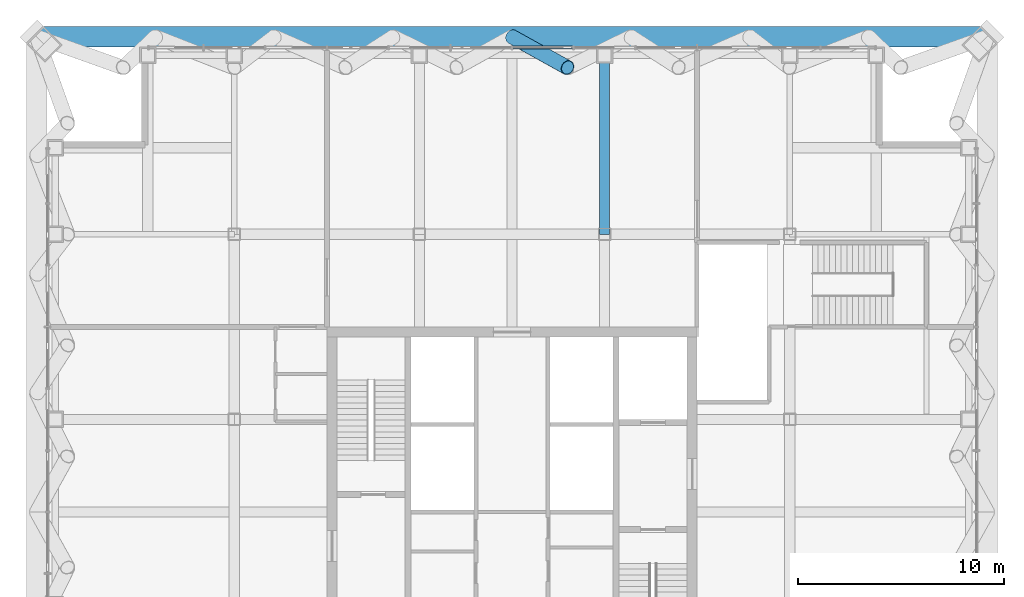
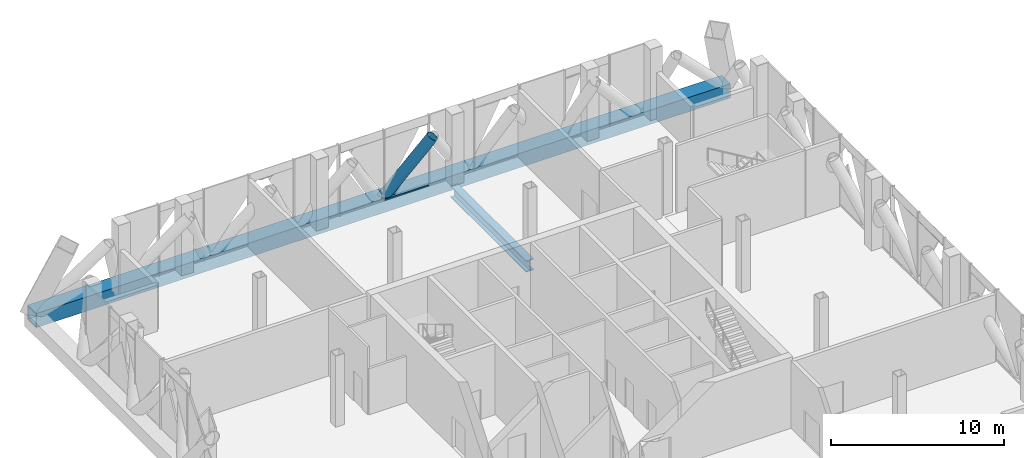
# One storey, part 11 of 27: 3 members, 1 beam, 1 element without a shape of its own.
"""IFC4 building model written with IfcOpenShell, lengths in metres."""

from ifc_helpers import new_model, si_unit, direction, frame, origin, origin_2d, place, context, subcontext, project, spatial, rectangle, hollow_rectangle, hollow_circle, i_section, extrude, material, layer, layer_set, material_profile, profile_set, type_object, element, aggregate, save


model = new_model("IFC4")

# Units and contexts
model_context = context("Model", 3, precision=1e-05, world=origin(), true_north=direction((0.0, 1.0)))
body_context = subcontext(model_context, "Body", "Model", "MODEL_VIEW")
ifc_project = project(units=[si_unit("LENGTHUNIT", "METRE"), si_unit("AREAUNIT", "SQUARE_METRE"), si_unit("VOLUMEUNIT", "CUBIC_METRE"), si_unit("PLANEANGLEUNIT", "RADIAN"), si_unit("MASSUNIT", "GRAM", prefix="KILO")], contexts=[model_context])

# Site, building, storey
site_placement = place(None, origin())
site = spatial("IfcSite", under=ifc_project, at=site_placement, CompositionType="ELEMENT")
building_placement = place(site_placement, origin())
building = spatial("IfcBuilding", under=site, at=building_placement, Name="Malebo Sky Hospital", CompositionType="ELEMENT")
storey_placement = place(building_placement, frame((0.0, 0.0, 245.0)))
storey = spatial("IfcBuildingStorey", under=building, at=storey_placement, Name="L59", CompositionType="ELEMENT", Elevation=245.0)

# Curtain wall, member
ifc_material_1 = material(Name="Anodised aluminium, natural silver", Category="aluminium")
ifc_layer = layer(ifc_material_1, 0.25)
ifc_layer_set = layer_set([ifc_layer], Name="PLANT LOUVRE SCREEN")
curtain_wall_type = type_object("IfcCurtainWallType", Name="PLANT LOUVRE SCREEN", PredefinedType="NOTDEFINED", material=ifc_layer_set)
curtain_wall_placement = place(storey_placement, origin())
curtain_wall = element("IfcCurtainWall", 1, at=curtain_wall_placement, inside=storey, type_object=curtain_wall_type, Name="PLANT curtain wall N", PredefinedType="NOTDEFINED")
ifc_material_profile_1 = material_profile(ifc_material_1, rectangle(XDim=0.14990234375, YDim=0.10009765625, at=origin_2d()), Name="ALUMINIUM TRANSOM 150x100")
ifc_profile_set_1 = profile_set([ifc_material_profile_1], Name="Anodised aluminium, natural silver")
member_type_1 = type_object("IfcMemberType", Name="ALUMINIUM TRANSOM 150x100", PredefinedType="USERDEFINED", material=ifc_profile_set_1)
member_1_placement = place(storey_placement, frame((60.03759765625, 84.574951171875, 0.050048828125), z_axis=(1.0, 0.0, 0.0), x_axis=(0.0, 1.0, 0.0)))
member_1 = element("IfcMember", 2, at=member_1_placement, type_object=member_type_1, Name="Transom 7", ObjectType="TRANSOM", PredefinedType="USERDEFINED", context=body_context, shape_type="SweptSolid", body=[
    extrude(rectangle(XDim=0.14990234375, YDim=0.10009765625, at=origin_2d()), origin(), (0.0, 0.0, 1.0), 2.9248046875),
])
aggregate(curtain_wall, [member_1])

# Member
ifc_material_2 = material(Name="Steel S460", Category="steel")
ifc_material_profile_2 = material_profile(ifc_material_2, hollow_circle(Radius=0.35546875, WallThickness=0.02490234375, at=origin_2d()), Name="CHS 711x25")
ifc_profile_set_2 = profile_set([ifc_material_profile_2], Name="Steel S460")
member_type_2 = type_object("IfcMemberType", Name="BELT TRUSS DIAGONAL CHS 711x25", PredefinedType="BRACE", material=ifc_profile_set_2)
member_2_placement = place(storey_placement, frame((62.699951171875, 83.60009765625, 4.14990234375), z_axis=(-0.490977647365, 0.272770292559, -0.827367703797), x_axis=(-0.485649642493, -0.87415354758, 0.0)))
element("IfcMember", 3, at=member_2_placement, inside=storey, type_object=member_type_2, Name="Belt truss diagonal N4.2 L59", PredefinedType="BRACE", context=body_context, shape_type="SweptSolid", body=[
    extrude(hollow_circle(Radius=0.35546875, WallThickness=0.02490234375, at=origin_2d()), origin(), (0.0, 0.0, 1.0), 5.4990234375),
])

# Beam
ifc_material_3 = material(Name="Steel S355", Category="steel")
ifc_material_profile_3 = material_profile(ifc_material_3, i_section(OverallWidth=0.5, OverallDepth=0.800048828125, WebThickness=0.030029296875, FlangeThickness=0.050048828125, at=origin_2d()), Name="PG 800x500x30x50")
ifc_profile_set_3 = profile_set([ifc_material_profile_3], Name="Steel S355")
beam_type = type_object("IfcBeamType", Name="FLOOR BEAM PG 800x500x30x50", PredefinedType="BEAM", material=ifc_profile_set_3)
beam_placement = place(storey_placement, frame((64.5, 75.5, -0.64990234375), z_axis=(0.0, 1.0, 0.0), x_axis=(-1.0, 0.0, 0.0)))
element("IfcBeam", 4, at=beam_placement, inside=storey, type_object=beam_type, Name="Beam 021 L59", PredefinedType="BEAM", context=body_context, shape_type="SweptSolid", body=[
    extrude(i_section(OverallWidth=0.5, OverallDepth=0.800048828125, WebThickness=0.030029296875, FlangeThickness=0.050048828125, at=origin_2d()), origin(), (0.0, 0.0, 1.0), 8.699951171875),
])

# Member
ifc_material_profile_4 = material_profile(ifc_material_2, hollow_rectangle(XDim=1.0, YDim=1.0, WallThickness=0.06005859375, at=origin_2d()), Name="BOX 1000x1000x60")
ifc_profile_set_4 = profile_set([ifc_material_profile_4], Name="Steel S460")
member_type_3 = type_object("IfcMemberType", Name="MEGA TIE BOX 1000x1000x60", PredefinedType="CHORD", material=ifc_profile_set_4)
member_3_placement = place(storey_placement, frame((83.10009765625, 85.10009765625, -0.39990234375), z_axis=(-1.0, 0.0, 0.0), x_axis=(0.0, -1.0, 0.0)))
element("IfcMember", 5, at=member_3_placement, inside=storey, type_object=member_type_3, Name="Mega tie CN L59", PredefinedType="CHORD", context=body_context, shape_type="SweptSolid", body=[
    extrude(hollow_rectangle(XDim=1.0, YDim=1.0, WallThickness=0.06005859375, at=origin_2d()), origin(), (0.0, 0.0, 1.0), 46.2001953125),
])

save(model, "model.ifc")
